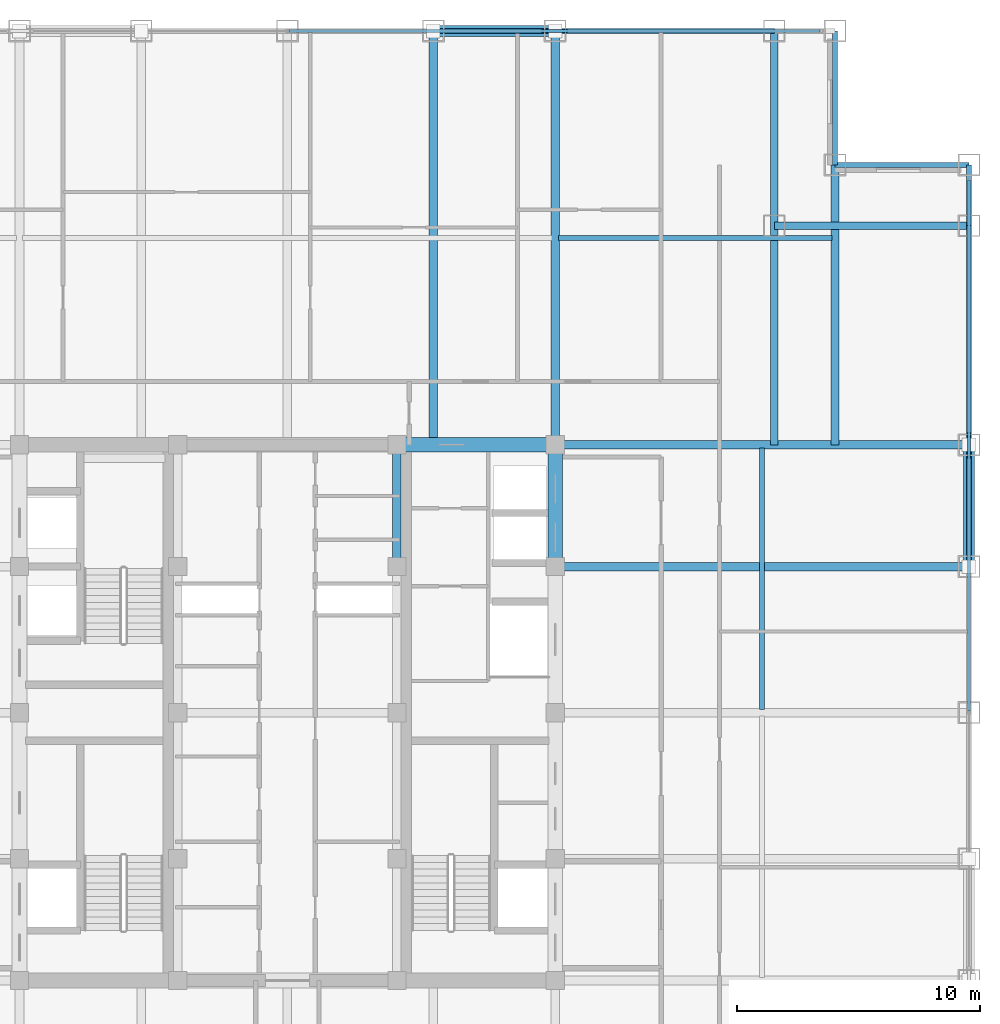
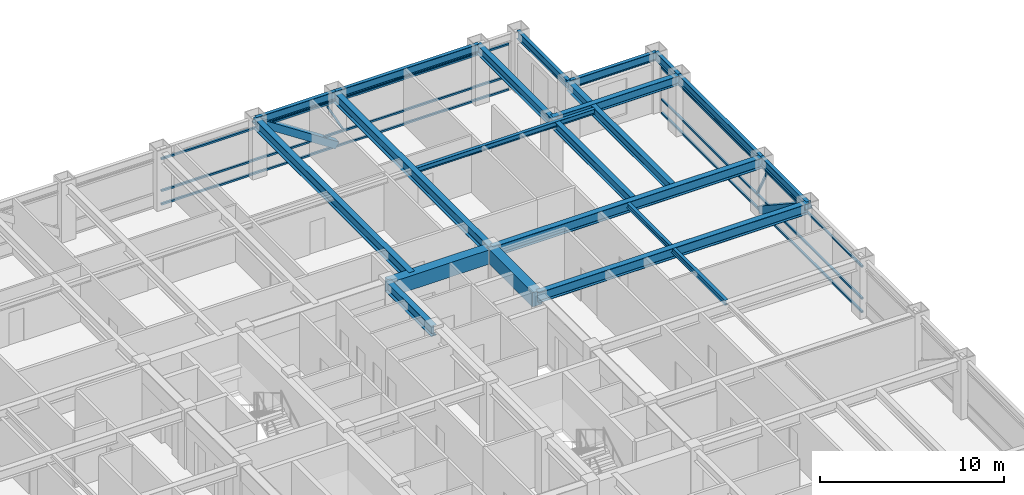
# One storey, part 15 of 22: 19 beams, 10 members, 2 elements without a shape of their own.
"""IFC4 building model written with IfcOpenShell, lengths in metres."""

from ifc_helpers import new_model, si_unit, direction, frame, origin, origin_2d, place, context, subcontext, project, spatial, rectangle, hollow_rectangle, i_section, extrude, source, transform, mapped, material, material_profile, profile_set, type_object, element, aggregate, save


model = new_model("IFC4")

# Units and contexts
model_context = context("Model", 3, precision=1e-05, world=origin(), true_north=direction((0.0, 1.0)))
body_context = subcontext(model_context, "Body", "Model", "MODEL_VIEW")
ifc_project = project(units=[si_unit("LENGTHUNIT", "METRE"), si_unit("AREAUNIT", "SQUARE_METRE"), si_unit("VOLUMEUNIT", "CUBIC_METRE"), si_unit("PLANEANGLEUNIT", "RADIAN"), si_unit("MASSUNIT", "GRAM", prefix="KILO")], contexts=[model_context])

# Site, building, storey
site_placement = place(None, origin())
site = spatial("IfcSite", under=ifc_project, at=site_placement, CompositionType="ELEMENT")
building_placement = place(site_placement, origin())
building = spatial("IfcBuilding", under=site, at=building_placement, Name="Khorayat Bourse Tower", CompositionType="ELEMENT")
storey_placement = place(building_placement, frame((0.0, 0.0, 301.5)))
storey = spatial("IfcBuildingStorey", under=building, at=storey_placement, Name="L71", CompositionType="ELEMENT", Elevation=301.5)

# Beams
ifc_material_1 = material(Name="Steel ASTM A992 Grade 50", Category="steel")
ifc_material_profile_1 = material_profile(ifc_material_1, i_section(OverallWidth=0.35498046875, OverallDepth=0.695068359375, WebThickness=0.015380859375, FlangeThickness=0.02490234375, FilletRadius=0.01806640625, at=origin_2d()), Name="W690X217")
ifc_profile_set_1 = profile_set([ifc_material_profile_1], Name="Steel ASTM A992 Grade 50")
beam_type_1 = type_object("IfcBeamType", Name="BM-GIRD-690", PredefinedType="BEAM", material=ifc_profile_set_1)
shared_shape_1 = source(origin(), body_context, "Body", "SweptSolid", [
    extrude(i_section(OverallWidth=0.35498046875, OverallDepth=0.695068359375, WebThickness=0.015380859375, FlangeThickness=0.02490234375, FilletRadius=0.01806640625, at=origin_2d()), origin(), (0.0, 0.0, 1.0), 5.0),
])
beam_1_placement = place(storey_placement, frame((4.5, 6.0, 3.4326171875), z_axis=(0.0, 1.0, 0.0), x_axis=(-1.0, 0.0, 0.0)))
element("IfcBeam", 1, at=beam_1_placement, inside=storey, type_object=beam_type_1, Name="L71 BM-GIRD-690 BM-L71-CRX-12", PredefinedType="BEAM", context=body_context, shape_type="MappedRepresentation", body=[
    mapped(shared_shape_1, transform((0.0, 0.0, 0.0), scale=1.0)),
])
ifc_material_profile_2 = material_profile(ifc_material_1, i_section(OverallWidth=0.324951171875, OverallDepth=0.615966796875, WebThickness=0.013916015625, FlangeThickness=0.021484375, FilletRadius=0.01611328125, at=origin_2d()), Name="W610X174")
ifc_profile_set_2 = profile_set([ifc_material_profile_2], Name="Steel ASTM A992 Grade 50")
beam_type_2 = type_object("IfcBeamType", Name="BM-GIRD-610", PredefinedType="BEAM", material=ifc_profile_set_2)
shared_shape_2 = source(origin(), body_context, "Body", "SweptSolid", [
    extrude(i_section(OverallWidth=0.324951171875, OverallDepth=0.615966796875, WebThickness=0.013916015625, FlangeThickness=0.021484375, FilletRadius=0.01611328125, at=origin_2d()), origin(), (0.0, 0.0, 1.0), 17.0),
])
beam_2_placement = place(storey_placement, frame((20.0, 11.0, 3.471923828125), z_axis=(0.0, 1.0, 0.0), x_axis=(-1.0, 0.0, 0.0)))
element("IfcBeam", 2, at=beam_2_placement, inside=storey, type_object=beam_type_2, Name="L71 BM-GIRD-610 BM-L71-CNRY-087", PredefinedType="BEAM", context=body_context, shape_type="MappedRepresentation", body=[
    mapped(shared_shape_2, transform((0.0, 0.0, 0.0), scale=1.0)),
])
ifc_material_2 = material(Name="Concrete C60/75", Category="concrete")
ifc_material_profile_3 = material_profile(ifc_material_2, rectangle(XDim=0.60009765625, YDim=0.949951171875, at=origin_2d()), Name="RC 600x950")
ifc_profile_set_3 = profile_set([ifc_material_profile_3], Name="Concrete C60/75")
beam_type_3 = type_object("IfcBeamType", Name="BM-COUP-950", PredefinedType="BEAM", material=ifc_profile_set_3)
shared_shape_3 = source(origin(), body_context, "Body", "SweptSolid", [
    extrude(rectangle(XDim=0.60009765625, YDim=0.949951171875, at=origin_2d()), origin(), (0.0, 0.0, 1.0), 5.0),
])
beam_3_placement = place(storey_placement, frame((11.0, 6.0, 3.304931640625), z_axis=(0.0, 1.0, 0.0), x_axis=(-1.0, 0.0, 0.0)))
element("IfcBeam", 3, at=beam_3_placement, inside=storey, type_object=beam_type_3, Name="L71 BM-COUP-950 BM-L71-CRX-16", PredefinedType="BEAM", context=body_context, shape_type="MappedRepresentation", body=[
    mapped(shared_shape_3, transform((0.0, 0.0, 0.0), scale=1.0)),
])
shared_shape_4 = source(origin(), body_context, "Body", "SweptSolid", [
    extrude(rectangle(XDim=0.60009765625, YDim=0.949951171875, at=origin_2d()), origin(), (0.0, 0.0, 1.0), 6.5),
])
beam_4_placement = place(storey_placement, frame((4.5, 11.0, 3.304931640625), z_axis=(1.0, 0.0, 0.0), x_axis=(0.0, 1.0, 0.0)))
element("IfcBeam", 4, at=beam_4_placement, inside=storey, type_object=beam_type_3, Name="L71 BM-COUP-950 BM-L71-CRY-22", PredefinedType="BEAM", context=body_context, shape_type="MappedRepresentation", body=[
    mapped(shared_shape_4, transform((0.0, 0.0, 0.0), scale=1.0)),
])

# Members
ifc_material_3 = material(Name="Steel EN 10025-4 S460M", Category="steel")
ifc_material_profile_4 = material_profile(ifc_material_3, hollow_rectangle(XDim=0.449951171875, YDim=0.449951171875, WallThickness=0.02490234375, at=origin_2d()), Name="HSS 450x450x25")
ifc_profile_set_4 = profile_set([ifc_material_profile_4], Name="Steel EN 10025-4 S460M")
member_type_1 = type_object("IfcMemberType", Name="MBR-TUBE-450", PredefinedType="BRACE", material=ifc_profile_set_4)
shared_shape_5 = source(origin(), body_context, "Body", "SweptSolid", [
    extrude(hollow_rectangle(XDim=0.449951171875, YDim=0.449951171875, WallThickness=0.02490234375, at=origin_2d()), origin(), (0.0, 0.0, 1.0), 5.979736328125),
])
for number, where, z_axis, x_axis, name in (
    (5, (6.0, 28.0, 3.530029296875), (0.836141536525, 0.0, -0.548513747227), (0.0, 1.0, 0.0), "L71 Perimeter Tube Brace 04"),
    (6, (28.0, 6.0, 3.530029296875), (0.0, 0.836141536525, -0.548513747227), (-1.0, 0.0, 0.0), "L71 Perimeter Tube Brace 08"),
):
    element("IfcMember", number, at=place(storey_placement, frame(where, z_axis=z_axis, x_axis=x_axis)), inside=storey, type_object=member_type_1, Name=name, PredefinedType="BRACE", context=body_context, shape_type="MappedRepresentation", body=[
        mapped(shared_shape_5, transform((0.0, 0.0, 0.0), scale=1.0)),
    ])

# Beams
shared_shape_6 = source(origin(), body_context, "Body", "SweptSolid", [
    extrude(i_section(OverallWidth=0.35498046875, OverallDepth=0.695068359375, WebThickness=0.015380859375, FlangeThickness=0.02490234375, FilletRadius=0.01806640625, at=origin_2d()), origin(), (0.0, 0.0, 1.0), 17.0),
])
for number, where, z_axis, x_axis, name in (
    (7, (6.0, 11.0, 3.4326171875), (0.0, 1.0, 0.0), (-1.0, 0.0, 0.0), "L71 BM-GIRD-690 BM-L71-RADY-070"),
    (8, (11.0, 11.0, 3.4326171875), (0.0, 1.0, 0.0), (-1.0, 0.0, 0.0), "L71 BM-GIRD-690 BM-L71-RADY-072"),
    (9, (11.0, 6.0, 3.4326171875), (1.0, 0.0, 0.0), (0.0, 1.0, 0.0), "L71 BM-GIRD-690 BM-L71-RADX-080"),
    (10, (11.0, 11.0, 3.4326171875), (1.0, 0.0, 0.0), (0.0, 1.0, 0.0), "L71 BM-GIRD-690 BM-L71-RADX-082"),
):
    element("IfcBeam", number, at=place(storey_placement, frame(where, z_axis=z_axis, x_axis=x_axis)), inside=storey, type_object=beam_type_1, Name=name, PredefinedType="BEAM", context=body_context, shape_type="MappedRepresentation", body=[
        mapped(shared_shape_6, transform((0.0, 0.0, 0.0), scale=1.0)),
    ])
shared_shape_7 = source(origin(), body_context, "Body", "SweptSolid", [
    extrude(i_section(OverallWidth=0.324951171875, OverallDepth=0.615966796875, WebThickness=0.013916015625, FlangeThickness=0.021484375, FilletRadius=0.01611328125, at=origin_2d()), origin(), (0.0, 0.0, 1.0), 11.5),
])
beam_5_placement = place(storey_placement, frame((22.5, 11.0, 3.471923828125), z_axis=(0.0, 1.0, 0.0), x_axis=(-1.0, 0.0, 0.0)))
element("IfcBeam", 11, at=beam_5_placement, inside=storey, type_object=beam_type_2, Name="L71 BM-GIRD-610 BM-L71-CNRY-091", PredefinedType="BEAM", context=body_context, shape_type="MappedRepresentation", body=[
    mapped(shared_shape_7, transform((0.0, 0.0, 0.0), scale=1.0)),
])
shared_shape_8 = source(origin(), body_context, "Body", "SweptSolid", [
    extrude(i_section(OverallWidth=0.324951171875, OverallDepth=0.615966796875, WebThickness=0.013916015625, FlangeThickness=0.021484375, FilletRadius=0.01611328125, at=origin_2d()), origin(), (0.0, 0.0, 1.0), 8.0),
])
beam_6_placement = place(storey_placement, frame((20.0, 20.0, 3.471923828125), z_axis=(1.0, 0.0, 0.0), x_axis=(0.0, 1.0, 0.0)))
element("IfcBeam", 12, at=beam_6_placement, inside=storey, type_object=beam_type_2, Name="L71 BM-GIRD-610 BM-L71-CNRX-094", PredefinedType="BEAM", context=body_context, shape_type="MappedRepresentation", body=[
    mapped(shared_shape_8, transform((0.0, 0.0, 0.0), scale=1.0)),
])
ifc_material_profile_5 = material_profile(ifc_material_1, i_section(OverallWidth=0.202880859375, OverallDepth=0.346923828125, WebThickness=0.0078125, FlangeThickness=0.013427734375, FilletRadius=0.010009765625, at=origin_2d()), Name="W360X64")
ifc_profile_set_5 = profile_set([ifc_material_profile_5], Name="Steel ASTM A992 Grade 50")
beam_type_4 = type_object("IfcBeamType", Name="BM-JOIST-360", PredefinedType="JOIST", material=ifc_profile_set_5)
shared_shape_9 = source(origin(), body_context, "Body", "SweptSolid", [
    extrude(i_section(OverallWidth=0.202880859375, OverallDepth=0.346923828125, WebThickness=0.0078125, FlangeThickness=0.013427734375, FilletRadius=0.010009765625, at=origin_2d()), origin(), (0.0, 0.0, 1.0), 11.240234375),
])
beam_7_placement = place(storey_placement, frame((11.1298828125, 19.5, 3.6064453125), z_axis=(1.0, 0.0, 0.0), x_axis=(0.0, 1.0, 0.0)))
element("IfcBeam", 13, at=beam_7_placement, inside=storey, type_object=beam_type_4, Name="L71 BM-JOIST-360 BM-L71-JSTX-101", PredefinedType="JOIST", context=body_context, shape_type="MappedRepresentation", body=[
    mapped(shared_shape_9, transform((0.0, 0.0, 0.0), scale=1.0)),
])
shared_shape_10 = source(origin(), body_context, "Body", "SweptSolid", [
    extrude(i_section(OverallWidth=0.202880859375, OverallDepth=0.346923828125, WebThickness=0.0078125, FlangeThickness=0.013427734375, FilletRadius=0.010009765625, at=origin_2d()), origin(), (0.0, 0.0, 1.0), 10.740234375),
])
beam_8_placement = place(storey_placement, frame((19.5, 0.1298828125, 3.6064453125), z_axis=(0.0, 1.0, 0.0), x_axis=(-1.0, 0.0, 0.0)))
element("IfcBeam", 14, at=beam_8_placement, inside=storey, type_object=beam_type_4, Name="L71 BM-JOIST-360 BM-L71-JSTY-105", PredefinedType="JOIST", context=body_context, shape_type="MappedRepresentation", body=[
    mapped(shared_shape_10, transform((0.0, 0.0, 0.0), scale=1.0)),
])
ifc_material_profile_6 = material_profile(ifc_material_1, i_section(OverallWidth=0.214111328125, OverallDepth=0.549072265625, WebThickness=0.0146484375, FlangeThickness=0.023681640625, FilletRadius=0.013916015625, at=origin_2d()), Name="W530X138")
ifc_profile_set_6 = profile_set([ifc_material_profile_6], Name="Steel ASTM A992 Grade 50")
beam_type_5 = type_object("IfcBeamType", Name="BM-SPAN-530", PredefinedType="SPANDREL", material=ifc_profile_set_6)
shared_shape_11 = source(origin(), body_context, "Body", "SweptSolid", [
    extrude(i_section(OverallWidth=0.214111328125, OverallDepth=0.549072265625, WebThickness=0.0146484375, FlangeThickness=0.023681640625, FilletRadius=0.013916015625, at=origin_2d()), origin(), (0.0, 0.0, 1.0), 2.5),
])
beam_9_placement = place(storey_placement, frame((28.0, 20.0, 3.505615234375), z_axis=(0.0, 1.0, 0.0), x_axis=(-1.0, 0.0, 0.0)))
element("IfcBeam", 15, at=beam_9_placement, inside=storey, type_object=beam_type_5, Name="L71 BM-SPAN-530 BM-L71-SPN-041", PredefinedType="SPANDREL", context=body_context, shape_type="MappedRepresentation", body=[
    mapped(shared_shape_11, transform((0.0, 0.0, 0.0), scale=1.0)),
])
shared_shape_12 = source(origin(), body_context, "Body", "SweptSolid", [
    extrude(i_section(OverallWidth=0.214111328125, OverallDepth=0.549072265625, WebThickness=0.0146484375, FlangeThickness=0.023681640625, FilletRadius=0.013916015625, at=origin_2d()), origin(), (0.0, 0.0, 1.0), 9.0),
])
for number, where, z_axis, x_axis, name in (
    (16, (28.0, 11.0, 3.505615234375), (0.0, 1.0, 0.0), (-1.0, 0.0, 0.0), "L71 BM-SPAN-530 BM-L71-SPN-040"),
    (17, (11.0, 28.0, 3.505615234375), (1.0, 0.0, 0.0), (0.0, 1.0, 0.0), "L71 BM-SPAN-530 BM-L71-SPN-045"),
):
    element("IfcBeam", number, at=place(storey_placement, frame(where, z_axis=z_axis, x_axis=x_axis)), inside=storey, type_object=beam_type_5, Name=name, PredefinedType="SPANDREL", context=body_context, shape_type="MappedRepresentation", body=[
        mapped(shared_shape_12, transform((0.0, 0.0, 0.0), scale=1.0)),
    ])
shared_shape_13 = source(origin(), body_context, "Body", "SweptSolid", [
    extrude(i_section(OverallWidth=0.214111328125, OverallDepth=0.549072265625, WebThickness=0.0146484375, FlangeThickness=0.023681640625, FilletRadius=0.013916015625, at=origin_2d()), origin(), (0.0, 0.0, 1.0), 5.0),
])
for number, where, z_axis, x_axis, name in (
    (18, (28.0, 6.0, 3.505615234375), (0.0, 1.0, 0.0), (-1.0, 0.0, 0.0), "L71 BM-SPAN-530 BM-L71-SPN-039"),
    (19, (6.0, 28.0, 3.505615234375), (1.0, 0.0, 0.0), (0.0, 1.0, 0.0), "L71 BM-SPAN-530 BM-L71-SPN-046"),
):
    element("IfcBeam", number, at=place(storey_placement, frame(where, z_axis=z_axis, x_axis=x_axis)), inside=storey, type_object=beam_type_5, Name=name, PredefinedType="SPANDREL", context=body_context, shape_type="MappedRepresentation", body=[
        mapped(shared_shape_13, transform((0.0, 0.0, 0.0), scale=1.0)),
    ])
shared_shape_14 = source(origin(), body_context, "Body", "SweptSolid", [
    extrude(i_section(OverallWidth=0.214111328125, OverallDepth=0.549072265625, WebThickness=0.0146484375, FlangeThickness=0.023681640625, FilletRadius=0.013916015625, at=origin_2d()), origin(), (0.0, 0.0, 1.0), 5.5),
])
for number, where, z_axis, x_axis, name in (
    (20, (22.5, 22.5, 3.505615234375), (1.0, 0.0, 0.0), (0.0, 1.0, 0.0), "L71 BM-SPAN-530 BM-L71-SPN-042"),
    (21, (22.5, 22.5, 3.505615234375), (0.0, 1.0, 0.0), (-1.0, 0.0, 0.0), "L71 BM-SPAN-530 BM-L71-SPN-043"),
):
    element("IfcBeam", number, at=place(storey_placement, frame(where, z_axis=z_axis, x_axis=x_axis)), inside=storey, type_object=beam_type_5, Name=name, PredefinedType="SPANDREL", context=body_context, shape_type="MappedRepresentation", body=[
        mapped(shared_shape_14, transform((0.0, 0.0, 0.0), scale=1.0)),
    ])

# Curtain wall, member
ifc_material_4 = material(Name="Aluminium EN AW-6063 T6", Category="aluminium")
curtain_wall_type = type_object("IfcCurtainWallType", Name="CW-SYS-04", PredefinedType="NOTDEFINED", material=ifc_material_4)
curtain_wall_1_placement = place(storey_placement, origin())
curtain_wall_1 = element("IfcCurtainWall", 22, at=curtain_wall_1_placement, inside=storey, type_object=curtain_wall_type, Name="L71 Curtain Wall CW-L71-N1", PredefinedType="NOTDEFINED")
ifc_material_profile_7 = material_profile(ifc_material_4, hollow_rectangle(XDim=0.1201171875, YDim=0.1201171875, WallThickness=0.0048828125, at=origin_2d()), Name="ALU 120x120x5")
ifc_profile_set_7 = profile_set([ifc_material_profile_7], Name="Aluminium EN AW-6063 T6")
member_type_2 = type_object("IfcMemberType", Name="CWM-DIAG-120", PredefinedType="MULLION", material=ifc_profile_set_7)
shared_shape_15 = source(origin(), body_context, "Body", "SweptSolid", [
    extrude(hollow_rectangle(XDim=0.1201171875, YDim=0.1201171875, WallThickness=0.0048828125, at=origin_2d()), origin(), (0.0, 0.0, 1.0), 2.0791015625),
])
member_1_placement = place(storey_placement, frame((11.4541015625, 28.0, 1.090087890625), z_axis=(-0.465717394116, 0.0, 0.884933505309), x_axis=(0.0, -1.0, 0.0)))
member_1 = element("IfcMember", 23, at=member_1_placement, type_object=member_type_2, Name="CW-L71-N1 Faceted Diagonal Mullion 2", PredefinedType="MULLION", context=body_context, shape_type="MappedRepresentation", body=[
    mapped(shared_shape_15, transform((0.0, 0.0, 0.0), scale=1.0)),
])

curtain_wall_2_placement = place(storey_placement, origin())
curtain_wall_2 = element("IfcCurtainWall", 24, at=curtain_wall_2_placement, inside=storey, type_object=curtain_wall_type, Name="L71 Curtain Wall CW-L71-E1", PredefinedType="NOTDEFINED")
member_2_placement = place(storey_placement, frame((28.0, 11.4541015625, 1.090087890625), z_axis=(0.0, -0.465717394116, 0.884933505309), x_axis=(1.0, 0.0, 0.0)))
member_2 = element("IfcMember", 25, at=member_2_placement, type_object=member_type_2, Name="CW-L71-E1 Faceted Diagonal Mullion 2", PredefinedType="MULLION", context=body_context, shape_type="MappedRepresentation", body=[
    mapped(shared_shape_15, transform((0.0, 0.0, 0.0), scale=1.0)),
])

# Member
ifc_material_profile_8 = material_profile(ifc_material_4, hollow_rectangle(XDim=0.1201171875, YDim=0.1201171875, WallThickness=0.0048828125, at=origin_2d()), Name="ALU 120x120x5")
ifc_profile_set_8 = profile_set([ifc_material_profile_8], Name="Aluminium EN AW-6063 T6")
member_type_3 = type_object("IfcMemberType", Name="CWT-HORZ-120", PredefinedType="USERDEFINED", material=ifc_profile_set_8)
shared_shape_16 = source(origin(), body_context, "Body", "SweptSolid", [
    extrude(hollow_rectangle(XDim=0.1201171875, YDim=0.1201171875, WallThickness=0.0048828125, at=origin_2d()), origin(), (0.0, 0.0, 1.0), 21.81982421875),
])
member_3_placement = place(storey_placement, frame((0.06005859375, 28.0, 0.06005859375), z_axis=(1.0, 0.0, 0.0), x_axis=(0.0, 1.0, 0.0)))
member_3 = element("IfcMember", 26, at=member_3_placement, type_object=member_type_3, Name="CW-L71-N1 Horizontal Transom 2-1", ObjectType="TRANSOM", PredefinedType="USERDEFINED", context=body_context, shape_type="MappedRepresentation", body=[
    mapped(shared_shape_16, transform((0.0, 0.0, 0.0), scale=1.0)),
])

member_4_placement = place(storey_placement, frame((0.06005859375, 28.0, 0.949951171875), z_axis=(1.0, 0.0, 0.0), x_axis=(0.0, 1.0, 0.0)))
member_4 = element("IfcMember", 27, at=member_4_placement, type_object=member_type_3, Name="CW-L71-N1 Horizontal Transom 2-2", ObjectType="TRANSOM", PredefinedType="USERDEFINED", context=body_context, shape_type="MappedRepresentation", body=[
    mapped(shared_shape_16, transform((0.0, 0.0, 0.0), scale=1.0)),
])

member_5_placement = place(storey_placement, frame((0.06005859375, 28.0, 3.070068359375), z_axis=(1.0, 0.0, 0.0), x_axis=(0.0, 1.0, 0.0)))
member_5 = element("IfcMember", 28, at=member_5_placement, type_object=member_type_3, Name="CW-L71-N1 Horizontal Transom 2-3", ObjectType="TRANSOM", PredefinedType="USERDEFINED", context=body_context, shape_type="MappedRepresentation", body=[
    mapped(shared_shape_16, transform((0.0, 0.0, 0.0), scale=1.0)),
])

aggregate(curtain_wall_1, [member_3, member_4, member_5, member_1])

member_6_placement = place(storey_placement, frame((28.0, 0.06005859375, 0.06005859375), z_axis=(0.0, 1.0, 0.0), x_axis=(-1.0, 0.0, 0.0)))
member_6 = element("IfcMember", 29, at=member_6_placement, type_object=member_type_3, Name="CW-L71-E1 Horizontal Transom 2-1", ObjectType="TRANSOM", PredefinedType="USERDEFINED", context=body_context, shape_type="MappedRepresentation", body=[
    mapped(shared_shape_16, transform((0.0, 0.0, 0.0), scale=1.0)),
])

member_7_placement = place(storey_placement, frame((28.0, 0.06005859375, 0.949951171875), z_axis=(0.0, 1.0, 0.0), x_axis=(-1.0, 0.0, 0.0)))
member_7 = element("IfcMember", 30, at=member_7_placement, type_object=member_type_3, Name="CW-L71-E1 Horizontal Transom 2-2", ObjectType="TRANSOM", PredefinedType="USERDEFINED", context=body_context, shape_type="MappedRepresentation", body=[
    mapped(shared_shape_16, transform((0.0, 0.0, 0.0), scale=1.0)),
])

member_8_placement = place(storey_placement, frame((28.0, 0.06005859375, 3.070068359375), z_axis=(0.0, 1.0, 0.0), x_axis=(-1.0, 0.0, 0.0)))
member_8 = element("IfcMember", 31, at=member_8_placement, type_object=member_type_3, Name="CW-L71-E1 Horizontal Transom 2-3", ObjectType="TRANSOM", PredefinedType="USERDEFINED", context=body_context, shape_type="MappedRepresentation", body=[
    mapped(shared_shape_16, transform((0.0, 0.0, 0.0), scale=1.0)),
])

aggregate(curtain_wall_2, [member_6, member_7, member_8, member_2])

save(model, "model.ifc")
